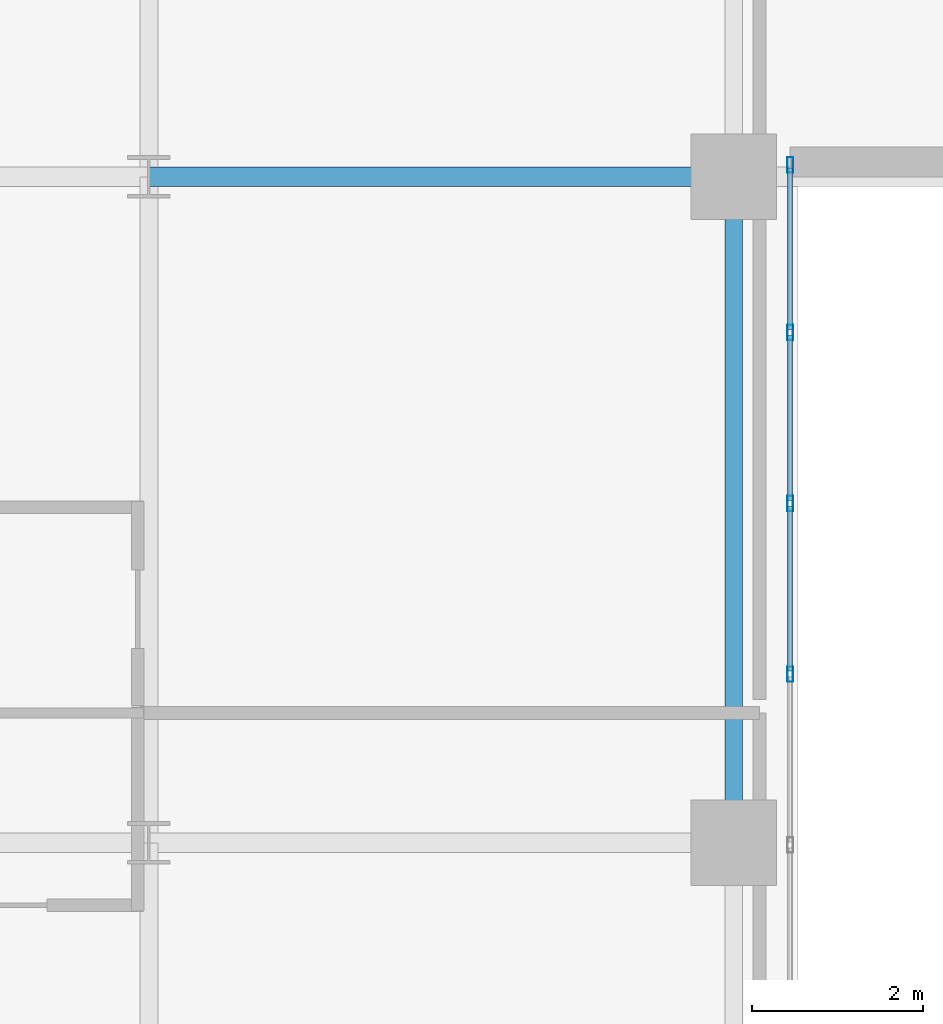
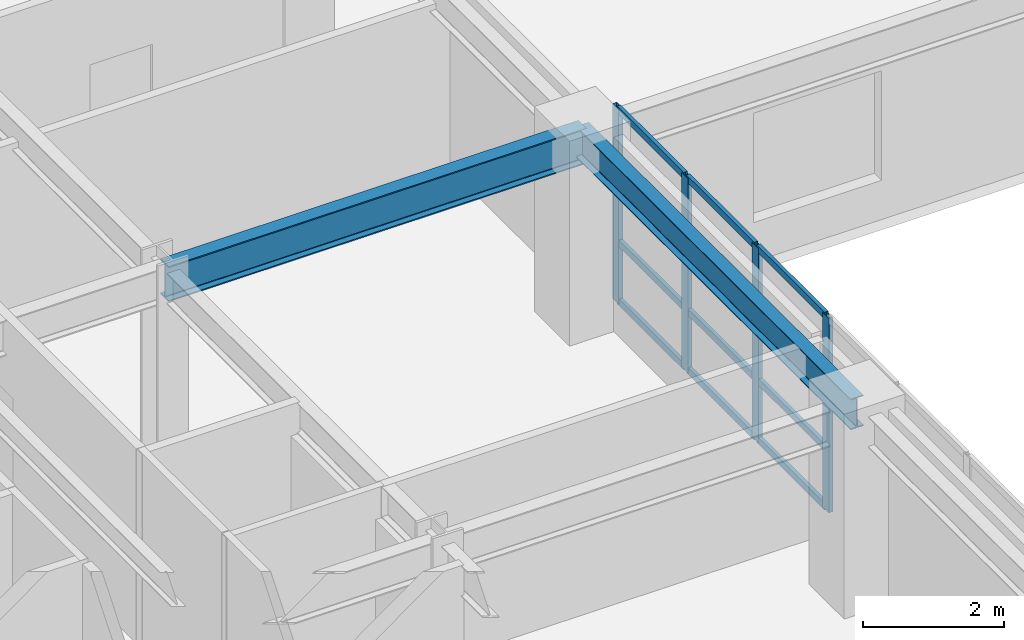
# One storey, part 3 of 16: 13 members, 2 beams, 1 element without a shape of its own.
"""IFC4 building model written with IfcOpenShell, lengths in metres."""

import ifcopenshell
import ifcopenshell.guid

model = None  # the IFC model being written
_history = None  # IfcOwnerHistory: only IFC2X3 demands one
_inside = {}  # id of a spatial element -> (the spatial element, [elements in it])
_under = {}  # id of a project, library or spatial element -> (it, [spatial elements below it])
_declared = {}  # id of a project -> (the project, [libraries it declares])
_typed = {}  # id of a type object -> (the type object, [elements of that type])
_made_of = {}  # id of a material, layer set ... -> (it, [elements and type objects made of it])


def new_model(schema):
    """Start an empty IFC model of exactly this schema.

    Asked for "IFC4X3", IfcOpenShell would pick the latest addendum, in which some entities
    have other attributes; the version numbers below select the first issue.
    IFC2X3 requires an IfcOwnerHistory on every rooted entity: one is made here for all.
    """
    global model, _history
    if schema == "IFC4X3":
        model = ifcopenshell.file(schema_version=(4, 3, 0, 0))
    else:
        model = ifcopenshell.file(schema=schema)
    _inside.clear()
    _under.clear()
    _declared.clear()
    _typed.clear()
    _made_of.clear()
    _history = None
    if model.schema == "IFC2X3":
        org = make("IfcOrganization", Name="unknown")
        user = make(
            "IfcPersonAndOrganization",
            ThePerson=make("IfcPerson", FamilyName="unknown"),
            TheOrganization=org,
        )
        app = make(
            "IfcApplication",
            ApplicationDeveloper=org,
            Version="unknown",
            ApplicationFullName="unknown",
            ApplicationIdentifier="unknown",
        )
        _history = make(
            "IfcOwnerHistory",
            OwningUser=user,
            OwningApplication=app,
            ChangeAction="ADDED",
            CreationDate=0,
        )
    return model


def make(cls, **values):
    """One entity of the class cls with the attributes given. An attribute that is None is left unset."""
    return model.create_entity(
        cls, **{name: value for name, value in values.items() if value is not None}
    )


def rooted(cls, **values):
    """An entity with a GlobalId (a new one), such as an element, a storey or a relation."""
    return make(cls, GlobalId=ifcopenshell.guid.new(), OwnerHistory=_history, **values)


def si_unit(unit_type, name, prefix=None):
    """IfcSIUnit, for example si_unit("LENGTHUNIT", "METRE", prefix="MILLI")."""
    return make("IfcSIUnit", UnitType=unit_type, Prefix=prefix, Name=name)


def assignment(units):
    """IfcUnitAssignment: the units of a project."""
    return None if units is None else make("IfcUnitAssignment", Units=units)


def point(xyz):
    """IfcCartesianPoint."""
    return None if xyz is None else make("IfcCartesianPoint", Coordinates=xyz)


def direction(xyz):
    """IfcDirection."""
    return None if xyz is None else make("IfcDirection", DirectionRatios=xyz)


def frame(location, z_axis=None, x_axis=None):
    """IfcAxis2Placement3D, a coordinate frame: its origin and axes. An axis left out is left unset."""
    return make(
        "IfcAxis2Placement3D",
        Location=point(location),
        Axis=direction(z_axis),
        RefDirection=direction(x_axis),
    )


def frame_2d(location, x_axis=None):
    """IfcAxis2Placement2D, a coordinate frame in the plane: its origin and x axis."""
    return make(
        "IfcAxis2Placement2D", Location=point(location), RefDirection=direction(x_axis)
    )


def origin():
    """The frame at (0, 0, 0) with its axes left unset."""
    return frame((0.0, 0.0, 0.0))


def origin_2d():
    """The frame at (0, 0) in the plane with its x axis left unset."""
    return frame_2d((0.0, 0.0))


def place(relative_to, where):
    """IfcLocalPlacement: puts the frame where relative to a parent placement (None: the world)."""
    return make(
        "IfcLocalPlacement", PlacementRelTo=relative_to, RelativePlacement=where
    )


def context(
    kind, dimensions, precision=None, world=None, true_north=None, identifier=None
):
    """IfcGeometricRepresentationContext, for example the 3D "Model" context."""
    return make(
        "IfcGeometricRepresentationContext",
        ContextIdentifier=identifier,
        ContextType=kind,
        CoordinateSpaceDimension=dimensions,
        Precision=precision,
        WorldCoordinateSystem=world,
        TrueNorth=true_north,
    )


def subcontext(parent, identifier, kind, view, scale=None):
    """IfcGeometricRepresentationSubContext, for example "Body" below "Model"."""
    return make(
        "IfcGeometricRepresentationSubContext",
        ContextIdentifier=identifier,
        ContextType=kind,
        ParentContext=parent,
        TargetScale=scale,
        TargetView=view,
    )


def project(units=None, contexts=None):
    """IfcProject with its units and contexts."""
    return rooted(
        "IfcProject",
        Name="project",
        RepresentationContexts=contexts,
        UnitsInContext=assignment(units),
    )


def spatial(cls, under=None, at=None, **own):
    """A site, building, storey or space (cls), placed at a placement, below another one or the project."""
    s = rooted(cls, ObjectPlacement=at, **own)
    if under is not None:
        _under.setdefault(under.id(), (under, []))[1].append(s)
    return s


def profile(cls, at=None, kind="AREA", **sizes):
    """A parametric profile (cls). Its sizes go by their IFC names, for example OverallWidth=200.0."""
    return make(cls, ProfileType=kind, Position=at, **sizes)


def hollow_rectangle(**sizes):
    """IfcRectangleHollowProfileDef."""
    return profile("IfcRectangleHollowProfileDef", **sizes)


def i_section(**sizes):
    """IfcIShapeProfileDef."""
    return profile("IfcIShapeProfileDef", **sizes)


def extrude(swept, where, along, depth):
    """IfcExtrudedAreaSolid: the profile swept, set in the frame where, extruded along a direction by depth."""
    return make(
        "IfcExtrudedAreaSolid",
        SweptArea=swept,
        Position=where,
        ExtrudedDirection=direction(along),
        Depth=depth,
    )


def shape(context_of_items, identifier, shape_type, items):
    """IfcShapeRepresentation: the items that make up one representation, for example the "Body"."""
    return make(
        "IfcShapeRepresentation",
        ContextOfItems=context_of_items,
        RepresentationIdentifier=identifier,
        RepresentationType=shape_type,
        Items=items,
    )


def source(mapping_origin, context_of_items, identifier, shape_type, items):
    """IfcRepresentationMap: a shape defined once, which mapped items show again and again."""
    return make(
        "IfcRepresentationMap",
        MappingOrigin=mapping_origin,
        MappedRepresentation=shape(context_of_items, identifier, shape_type, items),
    )


def transform(
    local_origin,
    x_axis=None,
    y_axis=None,
    z_axis=None,
    scale=None,
    scale2=None,
    scale3=None,
    uniform=True,
):
    """IfcCartesianTransformationOperator3D, or its non-uniform kind. x_axis, y_axis, z_axis: its Axis1, 2, 3."""
    if uniform:
        return make(
            "IfcCartesianTransformationOperator3D",
            Axis1=direction(x_axis),
            Axis2=direction(y_axis),
            LocalOrigin=point(local_origin),
            Scale=scale,
            Axis3=direction(z_axis),
        )
    return make(
        "IfcCartesianTransformationOperator3DnonUniform",
        Axis1=direction(x_axis),
        Axis2=direction(y_axis),
        LocalOrigin=point(local_origin),
        Scale=scale,
        Axis3=direction(z_axis),
        Scale2=scale2,
        Scale3=scale3,
    )


def mapped(mapping_source, mapping_target):
    """IfcMappedItem: shows the shape of a source again, moved by a transform."""
    return make(
        "IfcMappedItem", MappingSource=mapping_source, MappingTarget=mapping_target
    )


def material(Name=None, Category=None):
    """IfcMaterial."""
    return make("IfcMaterial", Name=Name, Category=Category)


def layer(
    of_material, thickness, ventilated=None, Name=None, Category=None, Priority=None
):
    """IfcMaterialLayer: one layer of a wall or slab, of a material (None: an air gap)."""
    return make(
        "IfcMaterialLayer",
        Material=of_material,
        LayerThickness=thickness,
        IsVentilated=ventilated,
        Name=Name,
        Category=Category,
        Priority=Priority,
    )


def layer_set(layers, Name=None):
    """IfcMaterialLayerSet."""
    return make("IfcMaterialLayerSet", MaterialLayers=layers, LayerSetName=Name)


def material_profile(
    of_material, cross_section, Name=None, Category=None, Priority=None
):
    """IfcMaterialProfile: a cross section and its material."""
    return make(
        "IfcMaterialProfile",
        Name=Name,
        Material=of_material,
        Profile=cross_section,
        Priority=Priority,
        Category=Category,
    )


def profile_set(profiles, Name=None, composite=None):
    """IfcMaterialProfileSet."""
    return make(
        "IfcMaterialProfileSet",
        Name=Name,
        MaterialProfiles=profiles,
        CompositeProfile=composite,
    )


def made_of(thing, what):
    """Note that an element or type object is made of a material, layer set ...; save() writes the relation."""
    if what is not None:
        _made_of.setdefault(what.id(), (what, []))[1].append(thing)
    return thing


def type_object(cls, material=None, **own):
    """A type object (cls), such as IfcWallType, which elements share."""
    return made_of(rooted(cls, **own), material)


def type_shapes(of_type, sources):
    """Give a type object the sources (RepresentationMaps) that its elements show as mapped items."""
    of_type.RepresentationMaps = sources


def element(
    cls,
    number,
    at=None,
    inside=None,
    cuts=None,
    type_object=None,
    material=None,
    context=None,
    identifier="Body",
    shape_type=None,
    held_by="IfcProductDefinitionShape",
    body=None,
    shapes=None,
    **own,
):
    """One element of the class cls, such as IfcWall. Its Tag is "e" and its number.

    at: its placement. inside: the storey or other place that contains it. cuts: it is an
    opening in that element (IfcRelVoidsElement). A single representation is given by context,
    identifier, shape_type and body (its items); several are given by shapes. held_by: the class
    of the entity that holds the representations. save() writes the other relations.
    """
    e = rooted(cls, Tag="e%d" % number, ObjectPlacement=at, **own)
    if body is not None:
        shapes = [shape(context, identifier, shape_type, body)]
    if shapes is not None:
        e.Representation = make(held_by, Representations=shapes)
    if inside is not None:
        _inside.setdefault(inside.id(), (inside, []))[1].append(e)
    if cuts is not None:
        rooted(
            "IfcRelVoidsElement", RelatingBuildingElement=cuts, RelatedOpeningElement=e
        )
    if type_object is not None:
        _typed.setdefault(type_object.id(), (type_object, []))[1].append(e)
    return made_of(e, material)


def aggregate(whole, parts):
    """IfcRelAggregates: a whole, such as a stair, and the parts it consists of."""
    return rooted("IfcRelAggregates", RelatingObject=whole, RelatedObjects=parts)


def save(model, path):
    """Write the relations noted so far, then the file.

    IfcRelAggregates (storeys below a building ...), IfcRelContainedInSpatialStructure (elements
    in a storey), IfcRelDefinesByType, IfcRelAssociatesMaterial and IfcRelDeclares: one each for
    every whole, place, type object, material and project.
    """
    for whole, parts in _under.values():
        aggregate(whole, parts)
    for where, things in _inside.values():
        rooted(
            "IfcRelContainedInSpatialStructure",
            RelatedElements=things,
            RelatingStructure=where,
        )
    for kind, things in _typed.values():
        rooted("IfcRelDefinesByType", RelatedObjects=things, RelatingType=kind)
    for what, things in _made_of.values():
        rooted("IfcRelAssociatesMaterial", RelatedObjects=things, RelatingMaterial=what)
    for by, libraries in _declared.values():
        rooted("IfcRelDeclares", RelatingContext=by, RelatedDefinitions=libraries)
    model.write(path)


model = new_model("IFC4")

# Units and contexts
model_context = context("Model", 3, precision=1e-05, world=origin(), true_north=direction((0.0, 1.0)))
body_context = subcontext(model_context, "Body", "Model", "MODEL_VIEW")
ifc_project = project(units=[si_unit("LENGTHUNIT", "METRE"), si_unit("AREAUNIT", "SQUARE_METRE"), si_unit("VOLUMEUNIT", "CUBIC_METRE"), si_unit("PLANEANGLEUNIT", "RADIAN"), si_unit("MASSUNIT", "GRAM", prefix="KILO")], contexts=[model_context])

# Site, building, storey
site_placement = place(None, origin())
site = spatial("IfcSite", under=ifc_project, at=site_placement, CompositionType="ELEMENT")
building_placement = place(site_placement, origin())
building = spatial("IfcBuilding", under=site, at=building_placement, Name="Tolvann Quenvar Hotel", CompositionType="ELEMENT")
storey_placement = place(building_placement, frame((0.0, 0.0, 63.949951171875)))
storey = spatial("IfcBuildingStorey", under=building, at=storey_placement, Name="L15", CompositionType="ELEMENT", Elevation=63.949951171875)

# Beams
ifc_material_1 = material(Name="Steel Grade 350", Category="steel")
ifc_material_profile_1 = material_profile(ifc_material_1, i_section(OverallWidth=0.22900390625, OverallDepth=0.612060546875, WebThickness=0.011962890625, FlangeThickness=0.01953125, FilletRadius=0.013916015625, at=origin_2d()), Name="610UB125")
ifc_profile_set_1 = profile_set([ifc_material_profile_1], Name="Steel Grade 350")
beam_type_1 = type_object("IfcBeamType", Name="BM_GIRD_610UB125", PredefinedType="BEAM", material=ifc_profile_set_1)
shared_shape_1 = source(origin(), body_context, "Body", "SweptSolid", [
    extrude(i_section(OverallWidth=0.22900390625, OverallDepth=0.612060546875, WebThickness=0.011962890625, FlangeThickness=0.01953125, FilletRadius=0.013916015625, at=origin_2d()), origin(), (0.0, 0.0, 1.0), 6.85009765625),
])
type_shapes(beam_type_1, [shared_shape_1])
beam_1_placement = place(storey_placement, frame((15.199951171875, 16.0, 3.06396484375), z_axis=(1.0, 0.0, 0.0), x_axis=(0.0, 1.0, 0.0)))
element("IfcBeam", 1, at=beam_1_placement, inside=storey, type_object=beam_type_1, Name="BM-L15-EW-4-D4-E4", PredefinedType="BEAM", context=body_context, shape_type="MappedRepresentation", body=[
    mapped(shared_shape_1, transform((0.0, 0.0, 0.0), x_axis=(1.0, 0.0, 0.0), y_axis=(0.0, 1.0, 0.0), z_axis=(0.0, 0.0, 1.0), scale=1.0)),
])
ifc_material_profile_2 = material_profile(ifc_material_1, i_section(OverallWidth=0.208984375, OverallDepth=0.532958984375, WebThickness=0.01025390625, FlangeThickness=0.015625, FilletRadius=0.013916015625, at=origin_2d()), Name="530UB92")
ifc_profile_set_2 = profile_set([ifc_material_profile_2], Name="Steel Grade 350")
beam_type_2 = type_object("IfcBeamType", Name="BM_GIRD_530UB92", PredefinedType="BEAM", material=ifc_profile_set_2)
shared_shape_2 = source(origin(), body_context, "Body", "SweptSolid", [
    extrude(i_section(OverallWidth=0.208984375, OverallDepth=0.532958984375, WebThickness=0.01025390625, FlangeThickness=0.015625, FilletRadius=0.013916015625, at=origin_2d()), origin(), (0.0, 0.0, 1.0), 7.800048828125),
])
type_shapes(beam_type_2, [shared_shape_2])
beam_2_placement = place(storey_placement, frame((22.050048828125, 8.199951171875, 3.103515625), z_axis=(0.0, 1.0, 0.0), x_axis=(-1.0, 0.0, 0.0)))
element("IfcBeam", 2, at=beam_2_placement, inside=storey, type_object=beam_type_2, Name="BM-L15-NS-E3-E4", PredefinedType="BEAM", context=body_context, shape_type="MappedRepresentation", body=[
    mapped(shared_shape_2, transform((0.0, 0.0, 0.0), x_axis=(1.0, 0.0, 0.0), y_axis=(0.0, 1.0, 0.0), z_axis=(0.0, 0.0, 1.0), scale=1.0)),
])

# Curtain wall, members
ifc_material_2 = material(Name="Thermally broken anodised architectural aluminium 6063-T6 and laminated low-E glass", Category="aluminium")
ifc_layer = layer(ifc_material_2, 0.179931640625)
ifc_layer_set = layer_set([ifc_layer], Name="Thermally broken anodised architectural aluminium 6063-T6 and laminated low-E glass")
curtain_wall_type = type_object("IfcCurtainWallType", Name="CW_SYS_SLOT_03", PredefinedType="USERDEFINED", material=ifc_layer_set)
curtain_wall_placement = place(storey_placement, origin())
curtain_wall = element("IfcCurtainWall", 3, at=curtain_wall_placement, inside=storey, type_object=curtain_wall_type, Name="Curtain Wall CW-SLOT-03 (CWR-L15-E05)", ObjectType="UNITISED CURTAIN WALL", PredefinedType="USERDEFINED")
ifc_material_3 = material(Name="Anodised architectural aluminium 6063-T6 framing", Category="aluminium")
ifc_material_profile_3 = material_profile(ifc_material_3, hollow_rectangle(XDim=0.070068359375, YDim=0.179931640625, WallThickness=0.00390625, at=origin_2d()), Name="180x70x4RHS")
ifc_profile_set_3 = profile_set([ifc_material_profile_3], Name="Anodised architectural aluminium 6063-T6 framing")
member_type_1 = type_object("IfcMemberType", Name="CW_MULL_180x70", PredefinedType="MULLION", material=ifc_profile_set_3)
shared_shape_3 = source(origin(), body_context, "Body", "SweptSolid", [
    extrude(hollow_rectangle(XDim=0.070068359375, YDim=0.179931640625, WallThickness=0.00390625, at=origin_2d()), origin(), (0.0, 0.0, 1.0), 3.3701171875),
])
type_shapes(member_type_1, [shared_shape_3])
member_1_placement = place(storey_placement, frame((22.7099609375, 10.175048828125, 0.0), z_axis=(0.0, 0.0, 1.0), x_axis=(-1.0, 0.0, 0.0)))
member_1 = element("IfcMember", 4, at=member_1_placement, type_object=member_type_1, Name="CW-SLOT-03 mullion 6", PredefinedType="MULLION", context=body_context, shape_type="MappedRepresentation", body=[
    mapped(shared_shape_3, transform((0.0, 0.0, 0.0), x_axis=(1.0, 0.0, 0.0), y_axis=(0.0, 1.0, 0.0), z_axis=(0.0, 0.0, 1.0), scale=1.0)),
])
member_2_placement = place(storey_placement, frame((22.7099609375, 12.175048828125, 0.0), z_axis=(0.0, 0.0, 1.0), x_axis=(-1.0, 0.0, 0.0)))
member_2 = element("IfcMember", 5, at=member_2_placement, type_object=member_type_1, Name="CW-SLOT-03 mullion 7", PredefinedType="MULLION", context=body_context, shape_type="MappedRepresentation", body=[
    mapped(shared_shape_3, transform((0.0, 0.0, 0.0), x_axis=(1.0, 0.0, 0.0), y_axis=(0.0, 1.0, 0.0), z_axis=(0.0, 0.0, 1.0), scale=1.0)),
])
member_3_placement = place(storey_placement, frame((22.7099609375, 14.175048828125, 0.0), z_axis=(0.0, 0.0, 1.0), x_axis=(-1.0, 0.0, 0.0)))
member_3 = element("IfcMember", 6, at=member_3_placement, type_object=member_type_1, Name="CW-SLOT-03 mullion 8", PredefinedType="MULLION", context=body_context, shape_type="MappedRepresentation", body=[
    mapped(shared_shape_3, transform((0.0, 0.0, 0.0), x_axis=(1.0, 0.0, 0.0), y_axis=(0.0, 1.0, 0.0), z_axis=(0.0, 0.0, 1.0), scale=1.0)),
])
member_4_placement = place(storey_placement, frame((22.7099609375, 16.139892578125, 0.0), z_axis=(0.0, 0.0, 1.0), x_axis=(-1.0, 0.0, 0.0)))
member_4 = element("IfcMember", 7, at=member_4_placement, type_object=member_type_1, Name="CW-SLOT-03 mullion 9", PredefinedType="MULLION", context=body_context, shape_type="MappedRepresentation", body=[
    mapped(shared_shape_3, transform((0.0, 0.0, 0.0), x_axis=(1.0, 0.0, 0.0), y_axis=(0.0, 1.0, 0.0), z_axis=(0.0, 0.0, 1.0), scale=1.0)),
])
ifc_material_profile_4 = material_profile(ifc_material_3, hollow_rectangle(XDim=0.06005859375, YDim=0.1201171875, WallThickness=0.00341796875, at=origin_2d()), Name="120x60x3.5RHS")
ifc_profile_set_4 = profile_set([ifc_material_profile_4], Name="Anodised architectural aluminium 6063-T6 framing")
member_type_2 = type_object("IfcMemberType", Name="CW_TRAN_120x60", PredefinedType="USERDEFINED", material=ifc_profile_set_4)
shared_shape_4 = source(origin(), body_context, "Body", "SweptSolid", [
    extrude(hollow_rectangle(XDim=0.06005859375, YDim=0.1201171875, WallThickness=0.00341796875, at=origin_2d()), origin(), (0.0, 0.0, 1.0), 1.929931640625),
])
member_5_placement = place(storey_placement, frame((22.7099609375, 10.2099609375, 0.030029296875), z_axis=(0.0, 1.0, 0.0), x_axis=(-1.0, 0.0, 0.0)))
member_5 = element("IfcMember", 8, at=member_5_placement, type_object=member_type_2, Name="CW-SLOT-03 transom 6.1", ObjectType="TRANSOM", PredefinedType="USERDEFINED", context=body_context, shape_type="MappedRepresentation", body=[
    mapped(shared_shape_4, transform((0.0, 0.0, 0.0), x_axis=(1.0, 0.0, 0.0), y_axis=(0.0, 1.0, 0.0), z_axis=(0.0, 0.0, 1.0), scale=1.0)),
])
member_6_placement = place(storey_placement, frame((22.7099609375, 10.2099609375, 1.050048828125), z_axis=(0.0, 1.0, 0.0), x_axis=(-1.0, 0.0, 0.0)))
member_6 = element("IfcMember", 9, at=member_6_placement, type_object=member_type_2, Name="CW-SLOT-03 transom 6.2", ObjectType="TRANSOM", PredefinedType="USERDEFINED", context=body_context, shape_type="MappedRepresentation", body=[
    mapped(shared_shape_4, transform((0.0, 0.0, 0.0), x_axis=(1.0, 0.0, 0.0), y_axis=(0.0, 1.0, 0.0), z_axis=(0.0, 0.0, 1.0), scale=1.0)),
])
member_7_placement = place(storey_placement, frame((22.7099609375, 10.2099609375, 3.340087890625), z_axis=(0.0, 1.0, 0.0), x_axis=(-1.0, 0.0, 0.0)))
member_7 = element("IfcMember", 10, at=member_7_placement, type_object=member_type_2, Name="CW-SLOT-03 transom 6.3", ObjectType="TRANSOM", PredefinedType="USERDEFINED", context=body_context, shape_type="MappedRepresentation", body=[
    mapped(shared_shape_4, transform((0.0, 0.0, 0.0), x_axis=(1.0, 0.0, 0.0), y_axis=(0.0, 1.0, 0.0), z_axis=(0.0, 0.0, 1.0), scale=1.0)),
])
member_8_placement = place(storey_placement, frame((22.7099609375, 12.2099609375, 0.030029296875), z_axis=(0.0, 1.0, 0.0), x_axis=(-1.0, 0.0, 0.0)))
member_8 = element("IfcMember", 11, at=member_8_placement, type_object=member_type_2, Name="CW-SLOT-03 transom 7.1", ObjectType="TRANSOM", PredefinedType="USERDEFINED", context=body_context, shape_type="MappedRepresentation", body=[
    mapped(shared_shape_4, transform((0.0, 0.0, 0.0), x_axis=(1.0, 0.0, 0.0), y_axis=(0.0, 1.0, 0.0), z_axis=(0.0, 0.0, 1.0), scale=1.0)),
])
member_9_placement = place(storey_placement, frame((22.7099609375, 12.2099609375, 1.050048828125), z_axis=(0.0, 1.0, 0.0), x_axis=(-1.0, 0.0, 0.0)))
member_9 = element("IfcMember", 12, at=member_9_placement, type_object=member_type_2, Name="CW-SLOT-03 transom 7.2", ObjectType="TRANSOM", PredefinedType="USERDEFINED", context=body_context, shape_type="MappedRepresentation", body=[
    mapped(shared_shape_4, transform((0.0, 0.0, 0.0), x_axis=(1.0, 0.0, 0.0), y_axis=(0.0, 1.0, 0.0), z_axis=(0.0, 0.0, 1.0), scale=1.0)),
])
member_10_placement = place(storey_placement, frame((22.7099609375, 12.2099609375, 3.340087890625), z_axis=(0.0, 1.0, 0.0), x_axis=(-1.0, 0.0, 0.0)))
member_10 = element("IfcMember", 13, at=member_10_placement, type_object=member_type_2, Name="CW-SLOT-03 transom 7.3", ObjectType="TRANSOM", PredefinedType="USERDEFINED", context=body_context, shape_type="MappedRepresentation", body=[
    mapped(shared_shape_4, transform((0.0, 0.0, 0.0), x_axis=(1.0, 0.0, 0.0), y_axis=(0.0, 1.0, 0.0), z_axis=(0.0, 0.0, 1.0), scale=1.0)),
])
shared_shape_5 = source(origin(), body_context, "Body", "SweptSolid", [
    extrude(hollow_rectangle(XDim=0.06005859375, YDim=0.1201171875, WallThickness=0.00341796875, at=origin_2d()), origin(), (0.0, 0.0, 1.0), 1.89501953125),
])
type_shapes(member_type_2, [shared_shape_4, shared_shape_5])
member_11_placement = place(storey_placement, frame((22.7099609375, 14.2099609375, 0.030029296875), z_axis=(0.0, 1.0, 0.0), x_axis=(-1.0, 0.0, 0.0)))
member_11 = element("IfcMember", 14, at=member_11_placement, type_object=member_type_2, Name="CW-SLOT-03 transom 8.1", ObjectType="TRANSOM", PredefinedType="USERDEFINED", context=body_context, shape_type="MappedRepresentation", body=[
    mapped(shared_shape_5, transform((0.0, 0.0, 0.0), x_axis=(1.0, 0.0, 0.0), y_axis=(0.0, 1.0, 0.0), z_axis=(0.0, 0.0, 1.0), scale=1.0)),
])
member_12_placement = place(storey_placement, frame((22.7099609375, 14.2099609375, 1.050048828125), z_axis=(0.0, 1.0, 0.0), x_axis=(-1.0, 0.0, 0.0)))
member_12 = element("IfcMember", 15, at=member_12_placement, type_object=member_type_2, Name="CW-SLOT-03 transom 8.2", ObjectType="TRANSOM", PredefinedType="USERDEFINED", context=body_context, shape_type="MappedRepresentation", body=[
    mapped(shared_shape_5, transform((0.0, 0.0, 0.0), x_axis=(1.0, 0.0, 0.0), y_axis=(0.0, 1.0, 0.0), z_axis=(0.0, 0.0, 1.0), scale=1.0)),
])
member_13_placement = place(storey_placement, frame((22.7099609375, 14.2099609375, 3.340087890625), z_axis=(0.0, 1.0, 0.0), x_axis=(-1.0, 0.0, 0.0)))
member_13 = element("IfcMember", 16, at=member_13_placement, type_object=member_type_2, Name="CW-SLOT-03 transom 8.3", ObjectType="TRANSOM", PredefinedType="USERDEFINED", context=body_context, shape_type="MappedRepresentation", body=[
    mapped(shared_shape_5, transform((0.0, 0.0, 0.0), x_axis=(1.0, 0.0, 0.0), y_axis=(0.0, 1.0, 0.0), z_axis=(0.0, 0.0, 1.0), scale=1.0)),
])
aggregate(curtain_wall, [member_1, member_2, member_3, member_4, member_5, member_6, member_7, member_8, member_9, member_10, member_11, member_12, member_13])

save(model, "model.ifc")
